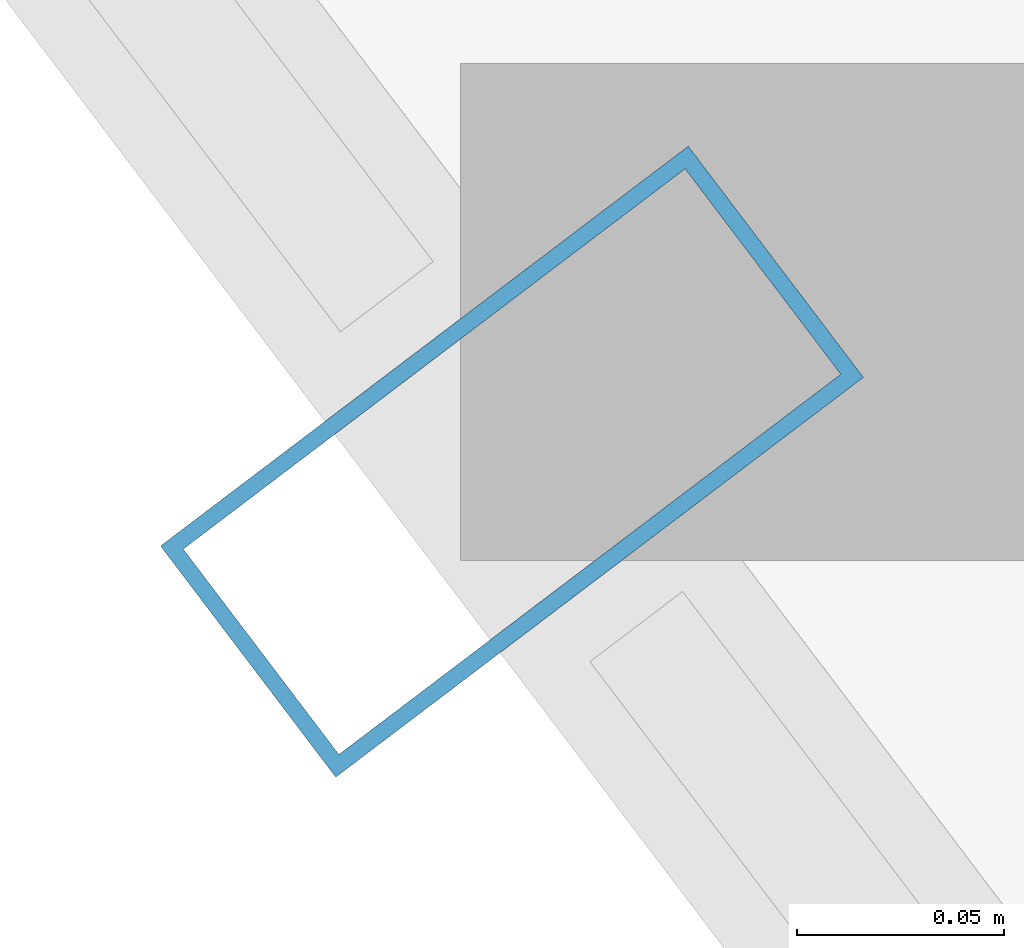
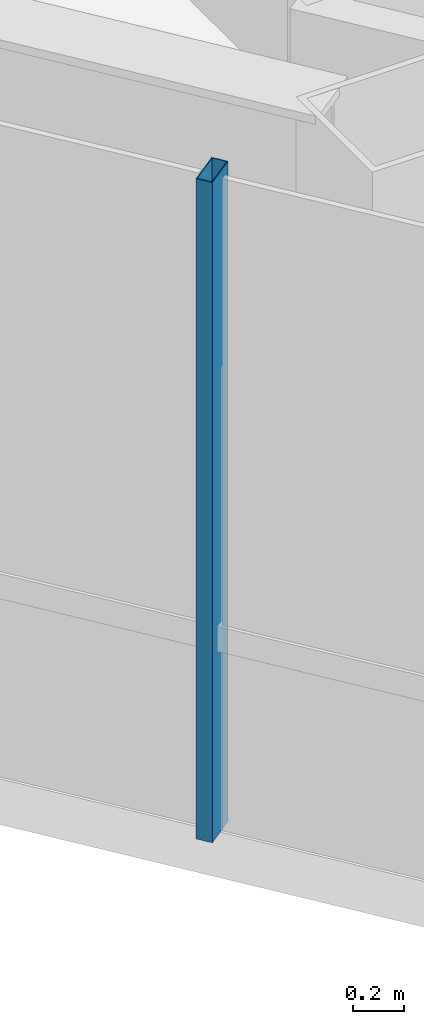
# One storey, part 5 of 27: 1 member, 1 element without a shape of its own.
"""IFC4 building model written with IfcOpenShell, lengths in metres."""

from ifc_helpers import new_model, si_unit, direction, frame, origin, origin_2d, place, context, subcontext, project, spatial, hollow_rectangle, extrude, material, layer, layer_set, material_profile, profile_set, type_object, element, aggregate, save


model = new_model("IFC4")

# Units and contexts
model_context = context("Model", 3, precision=1e-05, world=origin(), true_north=direction((0.0, 1.0)))
body_context = subcontext(model_context, "Body", "Model", "MODEL_VIEW")
ifc_project = project(units=[si_unit("LENGTHUNIT", "METRE"), si_unit("AREAUNIT", "SQUARE_METRE"), si_unit("VOLUMEUNIT", "CUBIC_METRE"), si_unit("PLANEANGLEUNIT", "RADIAN"), si_unit("MASSUNIT", "GRAM", prefix="KILO")], contexts=[model_context])

# Site, building, storey
site_placement = place(None, origin())
site = spatial("IfcSite", under=ifc_project, at=site_placement, CompositionType="ELEMENT")
building_placement = place(site_placement, origin())
building = spatial("IfcBuilding", under=site, at=building_placement, Name="Zarrinselat Tower", CompositionType="ELEMENT")
storey_placement = place(building_placement, frame((0.0, 0.0, 232.56005859375)))
storey = spatial("IfcBuildingStorey", under=building, at=storey_placement, Name="L58", CompositionType="ELEMENT", Elevation=232.56005859375)

# Curtain wall, member
ifc_material_1 = material(Name="Extruded Aluminium Alloy EN AW-6063 T6", Category="aluminium")
ifc_layer = layer(ifc_material_1, 0.169921875)
ifc_layer_set = layer_set([ifc_layer], Name="Extruded Aluminium Alloy EN AW-6063 T6")
curtain_wall_type = type_object("IfcCurtainWallType", Name="CWS-RES", PredefinedType="NOTDEFINED", material=ifc_layer_set)
curtain_wall_placement = place(storey_placement, origin())
curtain_wall = element("IfcCurtainWall", 1, at=curtain_wall_placement, inside=storey, type_object=curtain_wall_type, Name="L58 Unitised Curtain Wall CW-L58-E03", PredefinedType="NOTDEFINED")
ifc_material_2 = material(Name="Extruded Aluminium Alloy EN AW-6063 T6", Category="aluminium")
ifc_material_profile = material_profile(ifc_material_2, hollow_rectangle(XDim=0.070068359375, YDim=0.159912109375, WallThickness=0.00390625, at=origin_2d()), Name="RHS 160x70x4")
ifc_profile_set = profile_set([ifc_material_profile], Name="Extruded Aluminium Alloy EN AW-6063 T6")
member_type = type_object("IfcMemberType", Name="MEM-CW-MUL2", PredefinedType="MULLION", material=ifc_profile_set)
member_placement = place(storey_placement, frame((23.696044921875, 30.11376953125, 0.0), z_axis=(0.0, 0.0, 1.0), x_axis=(0.603857419315, -0.7970923517, 0.0)))
member = element("IfcMember", 2, at=member_placement, type_object=member_type, Name="CW-L58-E03 Mullion 4", PredefinedType="MULLION", context=body_context, shape_type="SweptSolid", body=[
    extrude(hollow_rectangle(XDim=0.070068359375, YDim=0.159912109375, WallThickness=0.00390625, at=origin_2d()), origin(), (0.0, 0.0, 1.0), 3.179931640625),
])
aggregate(curtain_wall, [member])

save(model, "model.ifc")
